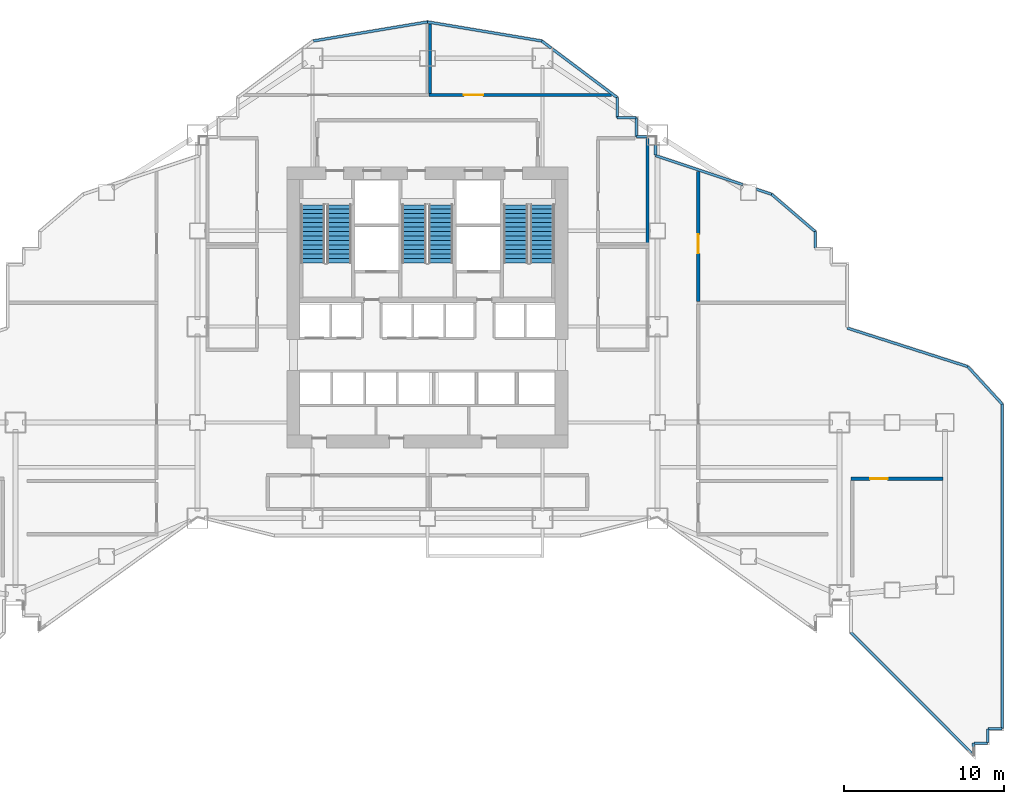
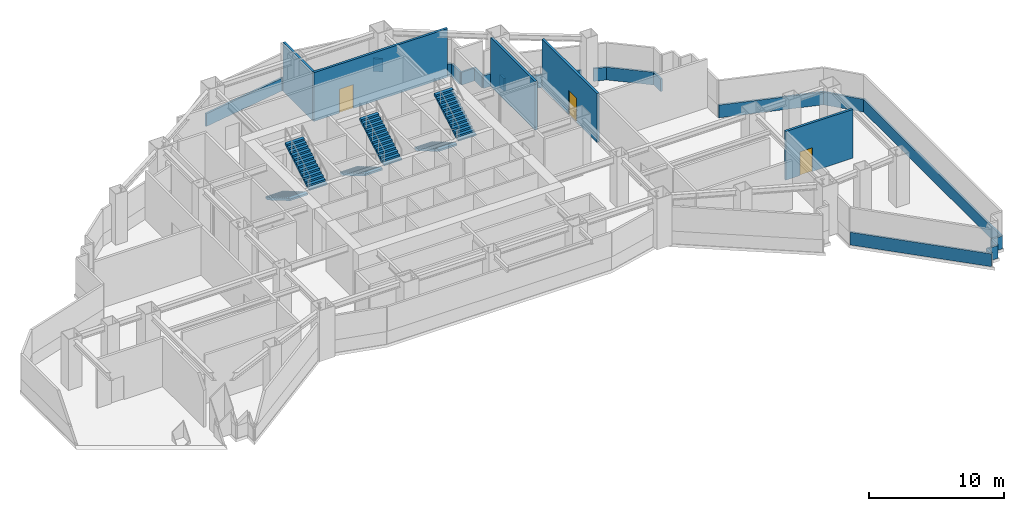
# One storey, part 5 of 12: 26 walls, 6 stair flights, 3 doors, 3 openings, 3 elements without a shape of their own.
"""IFC4 building model written with IfcOpenShell, lengths in metres."""

from ifc_helpers import new_model, si_unit, direction, frame, frame_2d, origin, place, context, subcontext, project, spatial, polyline, rectangle, outline, extrude, material, layer, layer_set, type_object, element, fill, aggregate, save


model = new_model("IFC4")

# Units and contexts
model_context = context("Model", 3, precision=1e-05, world=origin(), true_north=direction((0.0, 1.0)))
body_context = subcontext(model_context, "Body", "Model", "MODEL_VIEW")
ifc_project = project(units=[si_unit("LENGTHUNIT", "METRE"), si_unit("AREAUNIT", "SQUARE_METRE"), si_unit("VOLUMEUNIT", "CUBIC_METRE"), si_unit("PLANEANGLEUNIT", "RADIAN"), si_unit("MASSUNIT", "GRAM", prefix="KILO")], contexts=[model_context])

# Site, building, storey
site_placement = place(None, origin())
site = spatial("IfcSite", under=ifc_project, at=site_placement, CompositionType="ELEMENT")
building_placement = place(site_placement, origin())
building = spatial("IfcBuilding", under=site, at=building_placement, Name="Haolan Belvedere Tower", CompositionType="ELEMENT")
storey_placement = place(building_placement, frame((0.0, 0.0, 43.0)))
storey = spatial("IfcBuildingStorey", under=building, at=storey_placement, Name="L10", CompositionType="ELEMENT", Elevation=43.0)

# Wall, opening, door
ifc_material_1 = material(Name="Concrete C40/50", Category="concrete")
ifc_layer_1 = layer(ifc_material_1, 0.199951171875, Name="Concrete C40/50")
ifc_layer_set_1 = layer_set([ifc_layer_1], Name="Concrete C40/50")
wall_type_1 = type_object("IfcWallType", Name="WL-FIRE-200", PredefinedType="SOLIDWALL", material=ifc_layer_set_1)
wall_1_placement = place(storey_placement, frame((55.360107421875, 35.18505859375, 0.0), z_axis=(0.0, 0.0, 1.0), x_axis=(0.0, 1.0, 0.0)))
wall_1 = element("IfcWall", 1, at=wall_1_placement, inside=storey, type_object=wall_type_1, Name="L10 interior partition IW-L10-REF-E2-W", PredefinedType="SOLIDWALL", context=body_context, shape_type="SweptSolid", body=[
    extrude(rectangle(XDim=8.13818359375, YDim=0.199951171875, at=frame_2d((4.069091796875, 0.0))), origin(), (0.0, 0.0, 1.0), 4.39990234375),
])
opening_1_placement = place(wall_1_placement, frame((2.9951171875, 0.0, 0.0)))
opening_1 = element("IfcOpeningElement", 2, at=opening_1_placement, cuts=wall_1, Name="Opening FD-02", PredefinedType="OPENING", context=body_context, shape_type="SweptSolid", body=[
    extrude(rectangle(XDim=1.199951171875, YDim=2.14990234375, at=frame_2d((0.60009765625, 1.074951171875))), frame((0.0, 0.10986328125, 0.0), z_axis=(0.0, -1.0, 0.0), x_axis=(1.0, 0.0, 0.0)), (0.0, 0.0, 1.0), 0.219970703125),
])
ifc_material_2 = material(Name="Galvanised fire-rated steel", Category="steel")
door_type_1 = type_object("IfcDoorType", Name="DR-FD90-1200", OperationType="NOTDEFINED", PredefinedType="DOOR", material=ifc_material_2)
door_1_placement = place(opening_1_placement, origin())
door_1 = element("IfcDoor", 3, at=door_1_placement, inside=storey, type_object=door_type_1, Name="L10 door ID-L10-REF-E2", OperationType="SINGLE_SWING_LEFT", OverallHeight=2.14990234375, OverallWidth=1.199951171875, PredefinedType="DOOR", context=body_context, shape_type="SweptSolid", body=[
    extrude(rectangle(XDim=1.199951171875, YDim=2.14990234375, at=frame_2d((0.60009765625, 1.074951171875))), frame((0.0, 0.02490234375, 0.0), z_axis=(0.0, -1.0, 0.0), x_axis=(1.0, 0.0, 0.0)), (0.0, 0.0, 1.0), 0.050048828125),
])
fill(opening_1, door_1)

# Wall
wall_2_placement = place(storey_placement, frame((52.179931640625, 38.844970703125, 0.0), z_axis=(0.0, 0.0, 1.0), x_axis=(0.0, 1.0, 0.0)))
element("IfcWall", 4, at=wall_2_placement, inside=storey, type_object=wall_type_1, Name="L10 interior partition IW-L10-REF-EI2-E", PredefinedType="SOLIDWALL", context=body_context, shape_type="SweptSolid", body=[
    extrude(rectangle(XDim=6.54296875, YDim=0.199951171875, at=frame_2d((3.271484375, 0.0))), origin(), (0.0, 0.0, 1.0), 4.39990234375),
])

# Wall, opening, door
wall_3_placement = place(storey_placement, frame((38.485107421875, 48.10009765625, 0.0), z_axis=(0.0, 0.0, 1.0), x_axis=(1.0, 0.0, 0.0)))
wall_3 = element("IfcWall", 5, at=wall_3_placement, inside=storey, type_object=wall_type_1, Name="L10 interior partition IW-L10-REF-NE-S", PredefinedType="SOLIDWALL", context=body_context, shape_type="SweptSolid", body=[
    extrude(rectangle(XDim=11.42822265625, YDim=0.199951171875, at=frame_2d((5.714111328125, 0.0))), origin(), (0.0, 0.0, 1.0), 4.39990234375),
])
opening_2_placement = place(wall_3_placement, frame((2.195068359375, 0.0, 0.0)))
opening_2 = element("IfcOpeningElement", 6, at=opening_2_placement, cuts=wall_3, Name="Opening FD-02", PredefinedType="OPENING", context=body_context, shape_type="SweptSolid", body=[
    extrude(rectangle(XDim=1.199951171875, YDim=2.14990234375, at=frame_2d((0.60009765625, 1.074951171875))), frame((0.0, 0.10986328125, 0.0), z_axis=(0.0, -1.0, 0.0), x_axis=(1.0, 0.0, 0.0)), (0.0, 0.0, 1.0), 0.219970703125),
])
door_2_placement = place(opening_2_placement, origin())
door_2 = element("IfcDoor", 7, at=door_2_placement, inside=storey, type_object=door_type_1, Name="L10 door ID-L10-REF-NE", OperationType="SINGLE_SWING_RIGHT", OverallHeight=2.14990234375, OverallWidth=1.199951171875, PredefinedType="DOOR", context=body_context, shape_type="SweptSolid", body=[
    extrude(rectangle(XDim=1.199951171875, YDim=2.14990234375, at=frame_2d((0.60009765625, 1.074951171875))), frame((0.0, 0.02490234375, 0.0), z_axis=(0.0, -1.0, 0.0), x_axis=(1.0, 0.0, 0.0)), (0.0, 0.0, 1.0), 0.050048828125),
])
fill(opening_2, door_2)

# Wall
wall_4_placement = place(storey_placement, frame((38.56005859375, 48.18505859375, 0.0), z_axis=(0.0, 0.0, 1.0), x_axis=(0.0, 1.0, 0.0)))
element("IfcWall", 8, at=wall_4_placement, inside=storey, type_object=wall_type_1, Name="L10 interior partition IW-L10-REF-NE-W", PredefinedType="SOLIDWALL", context=body_context, shape_type="SweptSolid", body=[
    extrude(rectangle(XDim=4.373291015625, YDim=0.199951171875, at=frame_2d((2.1865234375, 0.0))), origin(), (0.0, 0.0, 1.0), 4.39990234375),
])

# Wall, opening, door
wall_5_placement = place(storey_placement, frame((64.919921875, 24.080078125, 0.0), z_axis=(0.0, 0.0, 1.0), x_axis=(1.0, 0.0, 0.0)))
wall_5 = element("IfcWall", 9, at=wall_5_placement, inside=storey, type_object=wall_type_1, Name="L10 interior partition IW-L10-REF-ET5-N", PredefinedType="SOLIDWALL", context=body_context, shape_type="SweptSolid", body=[
    extrude(rectangle(XDim=5.760009765625, YDim=0.199951171875, at=frame_2d((2.8798828125, 0.0))), origin(), (0.0, 0.0, 1.0), 4.39990234375),
])
opening_3_placement = place(wall_5_placement, frame((2.300048828125, 0.0, 0.0), z_axis=(0.0, 0.0, 1.0), x_axis=(-1.0, 0.0, 0.0)))
opening_3 = element("IfcOpeningElement", 10, at=opening_3_placement, cuts=wall_5, Name="Opening FD-03", PredefinedType="OPENING", context=body_context, shape_type="SweptSolid", body=[
    extrude(rectangle(XDim=1.10009765625, YDim=2.14990234375, at=frame_2d((0.550048828125, 1.074951171875))), frame((0.0, 0.10986328125, 0.0), z_axis=(0.0, -1.0, 0.0), x_axis=(1.0, 0.0, 0.0)), (0.0, 0.0, 1.0), 0.219970703125),
])
door_type_2 = type_object("IfcDoorType", Name="DR-FD90-1100", OperationType="NOTDEFINED", PredefinedType="DOOR", material=ifc_material_2)
door_3_placement = place(opening_3_placement, origin())
door_3 = element("IfcDoor", 11, at=door_3_placement, inside=storey, type_object=door_type_2, Name="L10 door ID-L10-REF-ET5", OperationType="SINGLE_SWING_RIGHT", OverallHeight=2.14990234375, OverallWidth=1.10009765625, PredefinedType="DOOR", context=body_context, shape_type="SweptSolid", body=[
    extrude(rectangle(XDim=1.10009765625, YDim=2.14990234375, at=frame_2d((0.550048828125, 1.074951171875))), frame((0.0, 0.02490234375, 0.0), z_axis=(0.0, -1.0, 0.0), x_axis=(1.0, 0.0, 0.0)), (0.0, 0.0, 1.0), 0.050048828125),
])
fill(opening_3, door_3)

# Walls
ifc_material_3 = material(Name="Precast concrete C40/50", Category="concrete")
ifc_layer_2 = layer(ifc_material_3, 0.159912109375, Name="Precast concrete C40/50")
ifc_layer_set_2 = layer_set([ifc_layer_2], Name="Precast concrete C40/50")
wall_type_2 = type_object("IfcWallType", Name="WL-PAR-160", PredefinedType="PARAPET", material=ifc_layer_set_2)
wall_6_placement = place(storey_placement, frame((64.919921875, 14.44970703125, 0.0), z_axis=(0.0, 0.0, 1.0), x_axis=(0.706892716387, -0.707320781201, 0.0)))
element("IfcWall", 12, at=wall_6_placement, inside=storey, type_object=wall_type_2, Name="L10 refuge open-band parapet 21.1", PredefinedType="PARAPET", context=body_context, shape_type="SweptSolid", body=[
    extrude(rectangle(XDim=10.83642578125, YDim=0.159912109375, at=frame_2d((5.418212890625, 0.0))), origin(), (0.0, 0.0, 1.0), 1.14990234375),
])
wall_7_placement = place(storey_placement, frame((72.580078125, 6.90478515625, 0.0), z_axis=(0.0, 0.0, 1.0), x_axis=(0.0, 1.0, 0.0)))
element("IfcWall", 13, at=wall_7_placement, inside=storey, type_object=wall_type_2, Name="L10 refuge open-band parapet 22.1", PredefinedType="PARAPET", context=body_context, shape_type="SweptSolid", body=[
    extrude(rectangle(XDim=0.610107421875, YDim=0.159912109375, at=frame_2d((0.30517578125, 0.0))), origin(), (0.0, 0.0, 1.0), 1.14990234375),
])
wall_8_placement = place(storey_placement, frame((72.610107421875, 7.514892578125, 0.0), z_axis=(0.0, 0.0, 1.0), x_axis=(1.0, 0.0, 0.0)))
element("IfcWall", 14, at=wall_8_placement, inside=storey, type_object=wall_type_2, Name="L10 refuge open-band parapet 23.1", PredefinedType="PARAPET", context=body_context, shape_type="SweptSolid", body=[
    extrude(rectangle(XDim=0.869873046875, YDim=0.159912109375, at=frame_2d((0.43505859375, 0.0))), origin(), (0.0, 0.0, 1.0), 1.14990234375),
])
wall_9_placement = place(storey_placement, frame((73.47998046875, 7.544921875, 0.0), z_axis=(0.0, 0.0, 1.0), x_axis=(0.0, 1.0, 0.0)))
element("IfcWall", 15, at=wall_9_placement, inside=storey, type_object=wall_type_2, Name="L10 refuge open-band parapet 24.1", PredefinedType="PARAPET", context=body_context, shape_type="SweptSolid", body=[
    extrude(rectangle(XDim=0.8701171875, YDim=0.159912109375, at=frame_2d((0.43505859375, 0.0))), origin(), (0.0, 0.0, 1.0), 1.14990234375),
])
wall_10_placement = place(storey_placement, frame((73.510009765625, 8.4150390625, 0.0), z_axis=(0.0, 0.0, 1.0), x_axis=(1.0, 0.0, 0.0)))
element("IfcWall", 16, at=wall_10_placement, inside=storey, type_object=wall_type_2, Name="L10 refuge open-band parapet 25.1", PredefinedType="PARAPET", context=body_context, shape_type="SweptSolid", body=[
    extrude(rectangle(XDim=0.869873046875, YDim=0.159912109375, at=frame_2d((0.43505859375, 0.0))), origin(), (0.0, 0.0, 1.0), 1.14990234375),
])
wall_11_placement = place(storey_placement, frame((74.3798828125, 8.445068359375, 0.0), z_axis=(0.0, 0.0, 1.0), x_axis=(0.0, 1.0, 0.0)))
element("IfcWall", 17, at=wall_11_placement, inside=storey, type_object=wall_type_2, Name="L10 refuge open-band parapet 26.1", PredefinedType="PARAPET", context=body_context, shape_type="SweptSolid", body=[
    extrude(rectangle(XDim=20.308349609375, YDim=0.159912109375, at=frame_2d((10.154296875, 0.0))), origin(), (0.0, 0.0, 1.0), 1.14990234375),
])
wall_12_placement = place(storey_placement, frame((74.3798828125, 28.75341796875, 0.0), z_axis=(0.0, 0.0, 1.0), x_axis=(-0.675700269655, 0.737176468418, 0.0)))
element("IfcWall", 18, at=wall_12_placement, inside=storey, type_object=wall_type_2, Name="L10 refuge open-band parapet 27.1", PredefinedType="PARAPET", context=body_context, shape_type="SweptSolid", body=[
    extrude(rectangle(XDim=3.177001953125, YDim=0.159912109375, at=frame_2d((1.58837890625, 0.0))), origin(), (0.0, 0.0, 1.0), 1.14990234375),
])
wall_13_placement = place(storey_placement, frame((72.233154296875, 31.095458984375, 0.0), z_axis=(0.0, 0.0, 1.0), x_axis=(-0.95242557697, 0.304771259034, 0.0)))
element("IfcWall", 19, at=wall_13_placement, inside=storey, type_object=wall_type_2, Name="L10 refuge open-band parapet 28.1", PredefinedType="PARAPET", context=body_context, shape_type="SweptSolid", body=[
    extrude(rectangle(XDim=7.930419921875, YDim=0.159912109375, at=frame_2d((3.96533203125, 0.0))), origin(), (0.0, 0.0, 1.0), 1.14990234375),
])
wall_14_placement = place(storey_placement, frame((62.679931640625, 38.510009765625, 0.0), z_axis=(0.0, 0.0, 1.0), x_axis=(0.0, 1.0, 0.0)))
element("IfcWall", 20, at=wall_14_placement, inside=storey, type_object=wall_type_2, Name="L10 refuge open-band parapet 33.1", PredefinedType="PARAPET", context=body_context, shape_type="SweptSolid", body=[
    extrude(rectangle(XDim=1.034912109375, YDim=0.159912109375, at=frame_2d((0.517578125, 0.0))), origin(), (0.0, 0.0, 1.0), 1.14990234375),
])
wall_15_placement = place(storey_placement, frame((62.679931640625, 39.544921875, 0.0), z_axis=(0.0, 0.0, 1.0), x_axis=(-0.759275702513, 0.650769089289, 0.0)))
element("IfcWall", 21, at=wall_15_placement, inside=storey, type_object=wall_type_2, Name="L10 refuge open-band parapet 34.1", PredefinedType="PARAPET", context=body_context, shape_type="SweptSolid", body=[
    extrude(rectangle(XDim=3.609130859375, YDim=0.159912109375, at=frame_2d((1.8046875, 0.0))), origin(), (0.0, 0.0, 1.0), 1.14990234375),
])
wall_16_placement = place(storey_placement, frame((59.939697265625, 41.8935546875, 0.0), z_axis=(0.0, 0.0, 1.0), x_axis=(-0.948683298051, 0.316227766017, 0.0)))
element("IfcWall", 22, at=wall_16_placement, inside=storey, type_object=wall_type_2, Name="L10 refuge open-band parapet 35.1", PredefinedType="PARAPET", context=body_context, shape_type="SweptSolid", body=[
    extrude(rectangle(XDim=0.9990234375, YDim=0.159912109375, at=frame_2d((0.49951171875, 0.0))), origin(), (0.0, 0.0, 1.0), 1.14990234375),
])
wall_17_placement = place(storey_placement, frame((58.14453125, 42.491943359375, 0.0), z_axis=(0.0, 0.0, 1.0), x_axis=(-0.948683298051, 0.316227766017, 0.0)))
element("IfcWall", 23, at=wall_17_placement, inside=storey, type_object=wall_type_2, Name="L10 refuge open-band parapet 35.2", PredefinedType="PARAPET", context=body_context, shape_type="SweptSolid", body=[
    extrude(rectangle(XDim=5.76025390625, YDim=0.159912109375, at=frame_2d((2.880126953125, 0.0))), origin(), (0.0, 0.0, 1.0), 1.14990234375),
])
wall_18_placement = place(storey_placement, frame((52.679931640625, 44.343505859375, 0.0), z_axis=(0.0, 0.0, 1.0), x_axis=(0.0, 1.0, 0.0)))
element("IfcWall", 24, at=wall_18_placement, inside=storey, type_object=wall_type_2, Name="L10 refuge open-band parapet 36.1", PredefinedType="PARAPET", context=body_context, shape_type="SweptSolid", body=[
    extrude(rectangle(XDim=0.614501953125, YDim=0.159912109375, at=frame_2d((0.30712890625, 0.0))), origin(), (0.0, 0.0, 1.0), 1.14990234375),
])
wall_19_placement = place(storey_placement, frame((52.157958984375, 45.47998046875, 0.0), z_axis=(0.0, 0.0, 1.0), x_axis=(-1.0, 0.0, 0.0)))
element("IfcWall", 25, at=wall_19_placement, inside=storey, type_object=wall_type_2, Name="L10 refuge open-band parapet 37.1", PredefinedType="PARAPET", context=body_context, shape_type="SweptSolid", body=[
    extrude(rectangle(XDim=0.677978515625, YDim=0.159912109375, at=frame_2d((0.3388671875, 0.0))), origin(), (0.0, 0.0, 1.0), 1.14990234375),
])
for number, where, z_axis, x_axis, name in (
    (26, (51.47998046875, 45.510009765625, 0.0), (0.0, 0.0, 1.0), (0.0, 1.0, 0.0), "L10 refuge open-band parapet 38.1"),
    (27, (51.449951171875, 46.679931640625, 0.0), (0.0, 0.0, 1.0), (-1.0, 0.0, 0.0), "L10 refuge open-band parapet 39.1"),
):
    element("IfcWall", number, at=place(storey_placement, frame(where, z_axis=z_axis, x_axis=x_axis)), inside=storey, type_object=wall_type_2, Name=name, PredefinedType="PARAPET", context=body_context, shape_type="SweptSolid", body=[
        extrude(rectangle(XDim=1.169921875, YDim=0.159912109375, at=frame_2d((0.5849609375, 0.0))), origin(), (0.0, 0.0, 1.0), 1.14990234375),
    ])
wall_20_placement = place(storey_placement, frame((50.280029296875, 46.7099609375, 0.0), z_axis=(0.0, 0.0, 1.0), x_axis=(0.0, 1.0, 0.0)))
element("IfcWall", 28, at=wall_20_placement, inside=storey, type_object=wall_type_2, Name="L10 refuge open-band parapet 40.1", PredefinedType="PARAPET", context=body_context, shape_type="SweptSolid", body=[
    extrude(rectangle(XDim=1.22998046875, YDim=0.159912109375, at=frame_2d((0.614990234375, 0.0))), origin(), (0.0, 0.0, 1.0), 1.14990234375),
])
wall_21_placement = place(storey_placement, frame((50.26806640625, 47.948974609375, 0.0), z_axis=(0.0, 0.0, 1.0), x_axis=(-0.800005821362, 0.599992238106, 0.0)))
element("IfcWall", 29, at=wall_21_placement, inside=storey, type_object=wall_type_2, Name="L10 refuge open-band parapet 41.1", PredefinedType="PARAPET", context=body_context, shape_type="SweptSolid", body=[
    extrude(rectangle(XDim=5.03271484375, YDim=0.159912109375, at=frame_2d((2.516357421875, 0.0))), origin(), (0.0, 0.0, 1.0), 1.14990234375),
])
wall_22_placement = place(storey_placement, frame((46.143798828125, 51.0419921875, 0.0), z_axis=(0.0, 0.0, 1.0), x_axis=(-0.79992085825, 0.600105507838, 0.0)))
element("IfcWall", 30, at=wall_22_placement, inside=storey, type_object=wall_type_2, Name="L10 refuge open-band parapet 41.2", PredefinedType="PARAPET", context=body_context, shape_type="SweptSolid", body=[
    extrude(rectangle(XDim=0.740478515625, YDim=0.159912109375, at=frame_2d((0.3701171875, 0.0))), origin(), (0.0, 0.0, 1.0), 1.14990234375),
])
wall_23_placement = place(storey_placement, frame((45.551513671875, 51.486328125, 0.0), z_axis=(0.0, 0.0, 1.0), x_axis=(-0.986394833909, 0.164393526752, 0.0)))
element("IfcWall", 31, at=wall_23_placement, inside=storey, type_object=wall_type_2, Name="L10 refuge open-band parapet 42.1", PredefinedType="PARAPET", context=body_context, shape_type="SweptSolid", body=[
    extrude(rectangle(XDim=7.250244140625, YDim=0.159912109375, at=frame_2d((3.625, 0.0))), origin(), (0.0, 0.0, 1.0), 1.14990234375),
])
wall_24_placement = place(storey_placement, frame((38.39990234375, 52.67822265625, 0.0), z_axis=(0.0, 0.0, 1.0), x_axis=(-0.986393923832, -0.164398987305, 0.0)))
element("IfcWall", 32, at=wall_24_placement, inside=storey, type_object=wall_type_2, Name="L10 refuge open-band parapet 43.1", PredefinedType="PARAPET", context=body_context, shape_type="SweptSolid", body=[
    extrude(rectangle(XDim=7.25, YDim=0.159912109375, at=frame_2d((3.625, 0.0))), origin(), (0.0, 0.0, 1.0), 1.14990234375),
])

# Stair, stair flights
stair_type = type_object("IfcStairType", Name="STR-DL-28R-164", PredefinedType="HALF_TURN_STAIR", material=ifc_material_1)
stair_1_placement = place(storey_placement, origin())
stair_1 = element("IfcStair", 33, at=stair_1_placement, inside=storey, type_object=stair_type, Name="L10 Smokeproof Core Exit Stair ST1", PredefinedType="HALF_TURN_STAIR")
stair_flight_type = type_object("IfcStairFlightType", Name="SFL-DL-14R-164", PredefinedType="STRAIGHT", material=ifc_material_1)
stair_flight_1_placement = place(storey_placement, frame((31.2099609375, 41.22998046875, 0.0), z_axis=(0.0, 0.0, 1.0), x_axis=(0.0, -1.0, 0.0)))
stair_flight_1 = element("IfcStairFlight", 34, at=stair_flight_1_placement, type_object=stair_flight_type, Name="ST1 flight 1", NumberOfRisers=14, NumberOfTreads=13, PredefinedType="STRAIGHT", RiserHeight=0.164285714, TreadLength=0.28, context=body_context, shape_type="SweptSolid", body=[
    extrude(outline(polyline([(0.0, 0.0), (0.0, 0.164306640625), (0.280029296875, 0.164306640625), (0.280029296875, 0.32861328125), (0.56005859375, 0.32861328125), (0.56005859375, 0.492919921875), (0.840087890625, 0.492919921875), (0.840087890625, 0.6572265625), (1.1201171875, 0.6572265625), (1.1201171875, 0.821533203125), (1.39990234375, 0.821533203125), (1.39990234375, 0.985595703125), (1.679931640625, 0.985595703125), (1.679931640625, 1.14990234375), (1.9599609375, 1.14990234375), (1.9599609375, 1.314208984375), (2.239990234375, 1.314208984375), (2.239990234375, 1.478515625), (2.52001953125, 1.478515625), (2.52001953125, 1.642822265625), (2.800048828125, 1.642822265625), (2.800048828125, 1.80712890625), (3.080078125, 1.80712890625), (3.080078125, 1.971435546875), (3.360107421875, 1.971435546875), (3.360107421875, 2.1357421875), (3.639892578125, 2.1357421875), (3.639892578125, 2.300048828125), (3.639892578125, 1.9619140625), (0.296142578125, 0.0), (0.0, 0.0)])), frame((0.0, 0.760009765625, 0.0), z_axis=(0.0, -1.0, 0.0), x_axis=(1.0, 0.0, 0.0)), (0.0, 0.0, 1.0), 1.52001953125),
])
stair_flight_2_placement = place(storey_placement, frame((32.8701171875, 37.590087890625, 2.300048828125), z_axis=(0.0, 0.0, 1.0), x_axis=(0.0, 1.0, 0.0)))
stair_flight_2 = element("IfcStairFlight", 35, at=stair_flight_2_placement, type_object=stair_flight_type, Name="ST1 flight 2", NumberOfRisers=14, NumberOfTreads=13, PredefinedType="STRAIGHT", RiserHeight=0.164285714, TreadLength=0.28, context=body_context, shape_type="SweptSolid", body=[
    extrude(outline(polyline([(0.0, 0.0), (0.0, 0.164306640625), (0.280029296875, 0.164306640625), (0.280029296875, 0.32861328125), (0.56005859375, 0.32861328125), (0.56005859375, 0.492919921875), (0.840087890625, 0.492919921875), (0.840087890625, 0.6572265625), (1.1201171875, 0.6572265625), (1.1201171875, 0.821533203125), (1.39990234375, 0.821533203125), (1.39990234375, 0.985595703125), (1.679931640625, 0.985595703125), (1.679931640625, 1.14990234375), (1.9599609375, 1.14990234375), (1.9599609375, 1.314208984375), (2.239990234375, 1.314208984375), (2.239990234375, 1.478515625), (2.52001953125, 1.478515625), (2.52001953125, 1.642822265625), (2.800048828125, 1.642822265625), (2.800048828125, 1.80712890625), (3.080078125, 1.80712890625), (3.080078125, 1.971435546875), (3.360107421875, 1.971435546875), (3.360107421875, 2.1357421875), (3.639892578125, 2.1357421875), (3.639892578125, 2.300048828125), (3.639892578125, 1.9619140625), (0.296142578125, 0.0), (0.0, 0.0)])), frame((0.0, 0.760009765625, 0.0), z_axis=(0.0, -1.0, 0.0), x_axis=(1.0, 0.0, 0.0)), (0.0, 0.0, 1.0), 1.52001953125),
])
aggregate(stair_1, [stair_flight_1, stair_flight_2])

stair_2_placement = place(storey_placement, origin())
stair_2 = element("IfcStair", 36, at=stair_2_placement, inside=storey, type_object=stair_type, Name="L10 Smokeproof Core Exit Stair ST3", PredefinedType="HALF_TURN_STAIR")
stair_flight_3_placement = place(storey_placement, frame((37.570068359375, 41.22998046875, 0.0), z_axis=(0.0, 0.0, 1.0), x_axis=(0.0, -1.0, 0.0)))
stair_flight_3 = element("IfcStairFlight", 37, at=stair_flight_3_placement, type_object=stair_flight_type, Name="ST3 flight 1", NumberOfRisers=14, NumberOfTreads=13, PredefinedType="STRAIGHT", RiserHeight=0.164285714, TreadLength=0.28, context=body_context, shape_type="SweptSolid", body=[
    extrude(outline(polyline([(0.0, 0.0), (0.0, 0.164306640625), (0.280029296875, 0.164306640625), (0.280029296875, 0.32861328125), (0.56005859375, 0.32861328125), (0.56005859375, 0.492919921875), (0.840087890625, 0.492919921875), (0.840087890625, 0.6572265625), (1.1201171875, 0.6572265625), (1.1201171875, 0.821533203125), (1.39990234375, 0.821533203125), (1.39990234375, 0.985595703125), (1.679931640625, 0.985595703125), (1.679931640625, 1.14990234375), (1.9599609375, 1.14990234375), (1.9599609375, 1.314208984375), (2.239990234375, 1.314208984375), (2.239990234375, 1.478515625), (2.52001953125, 1.478515625), (2.52001953125, 1.642822265625), (2.800048828125, 1.642822265625), (2.800048828125, 1.80712890625), (3.080078125, 1.80712890625), (3.080078125, 1.971435546875), (3.360107421875, 1.971435546875), (3.360107421875, 2.1357421875), (3.639892578125, 2.1357421875), (3.639892578125, 2.300048828125), (3.639892578125, 1.9619140625), (0.296142578125, 0.0), (0.0, 0.0)])), frame((0.0, 0.760009765625, 0.0), z_axis=(0.0, -1.0, 0.0), x_axis=(1.0, 0.0, 0.0)), (0.0, 0.0, 1.0), 1.52001953125),
])
stair_flight_4_placement = place(storey_placement, frame((39.22998046875, 37.590087890625, 2.300048828125), z_axis=(0.0, 0.0, 1.0), x_axis=(0.0, 1.0, 0.0)))
stair_flight_4 = element("IfcStairFlight", 38, at=stair_flight_4_placement, type_object=stair_flight_type, Name="ST3 flight 2", NumberOfRisers=14, NumberOfTreads=13, PredefinedType="STRAIGHT", RiserHeight=0.164285714, TreadLength=0.28, context=body_context, shape_type="SweptSolid", body=[
    extrude(outline(polyline([(0.0, 0.0), (0.0, 0.164306640625), (0.280029296875, 0.164306640625), (0.280029296875, 0.32861328125), (0.56005859375, 0.32861328125), (0.56005859375, 0.492919921875), (0.840087890625, 0.492919921875), (0.840087890625, 0.6572265625), (1.1201171875, 0.6572265625), (1.1201171875, 0.821533203125), (1.39990234375, 0.821533203125), (1.39990234375, 0.985595703125), (1.679931640625, 0.985595703125), (1.679931640625, 1.14990234375), (1.9599609375, 1.14990234375), (1.9599609375, 1.314208984375), (2.239990234375, 1.314208984375), (2.239990234375, 1.478515625), (2.52001953125, 1.478515625), (2.52001953125, 1.642822265625), (2.800048828125, 1.642822265625), (2.800048828125, 1.80712890625), (3.080078125, 1.80712890625), (3.080078125, 1.971435546875), (3.360107421875, 1.971435546875), (3.360107421875, 2.1357421875), (3.639892578125, 2.1357421875), (3.639892578125, 2.300048828125), (3.639892578125, 1.9619140625), (0.296142578125, 0.0), (0.0, 0.0)])), frame((0.0, 0.760009765625, 0.0), z_axis=(0.0, -1.0, 0.0), x_axis=(1.0, 0.0, 0.0)), (0.0, 0.0, 1.0), 1.52001953125),
])
aggregate(stair_2, [stair_flight_3, stair_flight_4])

stair_3_placement = place(storey_placement, origin())
stair_3 = element("IfcStair", 39, at=stair_3_placement, inside=storey, type_object=stair_type, Name="L10 Smokeproof Core Exit Stair ST2", PredefinedType="HALF_TURN_STAIR")
stair_flight_5_placement = place(storey_placement, frame((43.929931640625, 41.22998046875, 0.0), z_axis=(0.0, 0.0, 1.0), x_axis=(0.0, -1.0, 0.0)))
stair_flight_5 = element("IfcStairFlight", 40, at=stair_flight_5_placement, type_object=stair_flight_type, Name="ST2 flight 1", NumberOfRisers=14, NumberOfTreads=13, PredefinedType="STRAIGHT", RiserHeight=0.164285714, TreadLength=0.28, context=body_context, shape_type="SweptSolid", body=[
    extrude(outline(polyline([(0.0, 0.0), (0.0, 0.164306640625), (0.280029296875, 0.164306640625), (0.280029296875, 0.32861328125), (0.56005859375, 0.32861328125), (0.56005859375, 0.492919921875), (0.840087890625, 0.492919921875), (0.840087890625, 0.6572265625), (1.1201171875, 0.6572265625), (1.1201171875, 0.821533203125), (1.39990234375, 0.821533203125), (1.39990234375, 0.985595703125), (1.679931640625, 0.985595703125), (1.679931640625, 1.14990234375), (1.9599609375, 1.14990234375), (1.9599609375, 1.314208984375), (2.239990234375, 1.314208984375), (2.239990234375, 1.478515625), (2.52001953125, 1.478515625), (2.52001953125, 1.642822265625), (2.800048828125, 1.642822265625), (2.800048828125, 1.80712890625), (3.080078125, 1.80712890625), (3.080078125, 1.971435546875), (3.360107421875, 1.971435546875), (3.360107421875, 2.1357421875), (3.639892578125, 2.1357421875), (3.639892578125, 2.300048828125), (3.639892578125, 1.9619140625), (0.296142578125, 0.0), (0.0, 0.0)])), frame((0.0, 0.760009765625, 0.0), z_axis=(0.0, -1.0, 0.0), x_axis=(1.0, 0.0, 0.0)), (0.0, 0.0, 1.0), 1.52001953125),
])
stair_flight_6_placement = place(storey_placement, frame((45.590087890625, 37.590087890625, 2.300048828125), z_axis=(0.0, 0.0, 1.0), x_axis=(0.0, 1.0, 0.0)))
stair_flight_6 = element("IfcStairFlight", 41, at=stair_flight_6_placement, type_object=stair_flight_type, Name="ST2 flight 2", NumberOfRisers=14, NumberOfTreads=13, PredefinedType="STRAIGHT", RiserHeight=0.164285714, TreadLength=0.28, context=body_context, shape_type="SweptSolid", body=[
    extrude(outline(polyline([(0.0, 0.0), (0.0, 0.164306640625), (0.280029296875, 0.164306640625), (0.280029296875, 0.32861328125), (0.56005859375, 0.32861328125), (0.56005859375, 0.492919921875), (0.840087890625, 0.492919921875), (0.840087890625, 0.6572265625), (1.1201171875, 0.6572265625), (1.1201171875, 0.821533203125), (1.39990234375, 0.821533203125), (1.39990234375, 0.985595703125), (1.679931640625, 0.985595703125), (1.679931640625, 1.14990234375), (1.9599609375, 1.14990234375), (1.9599609375, 1.314208984375), (2.239990234375, 1.314208984375), (2.239990234375, 1.478515625), (2.52001953125, 1.478515625), (2.52001953125, 1.642822265625), (2.800048828125, 1.642822265625), (2.800048828125, 1.80712890625), (3.080078125, 1.80712890625), (3.080078125, 1.971435546875), (3.360107421875, 1.971435546875), (3.360107421875, 2.1357421875), (3.639892578125, 2.1357421875), (3.639892578125, 2.300048828125), (3.639892578125, 1.9619140625), (0.296142578125, 0.0), (0.0, 0.0)])), frame((0.0, 0.760009765625, 0.0), z_axis=(0.0, -1.0, 0.0), x_axis=(1.0, 0.0, 0.0)), (0.0, 0.0, 1.0), 1.52001953125),
])
aggregate(stair_3, [stair_flight_5, stair_flight_6])

save(model, "model.ifc")
